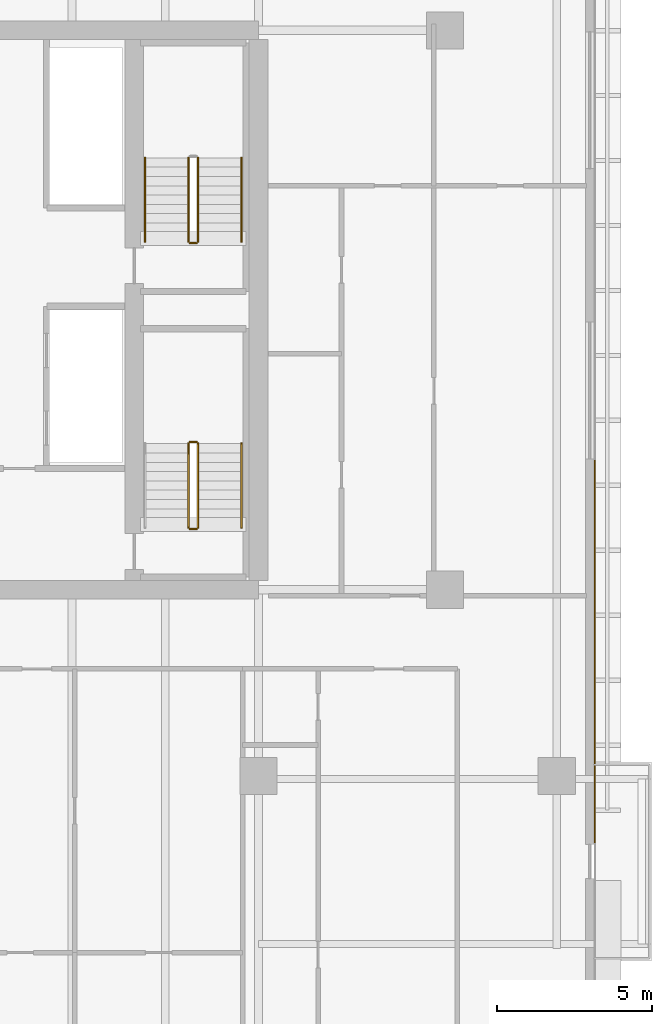
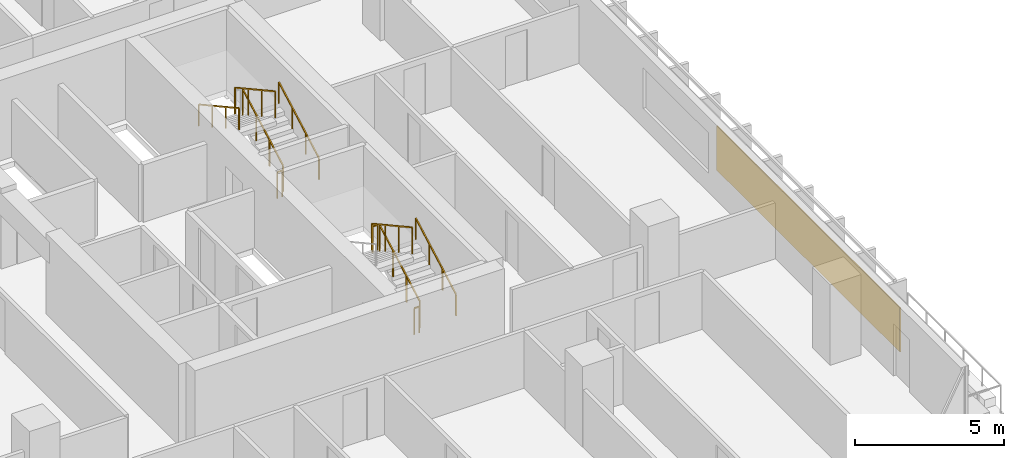
# One storey, part 31 of 33: 10 railings, 1 covering.
"""IFC4 building model written with IfcOpenShell, lengths in metres."""

from ifc_helpers import new_model, si_unit, direction, frame, origin, origin_2d, place, context, subcontext, project, spatial, rectangle, extrude, material, layer, layer_set, type_object, element, save


model = new_model("IFC4")

# Units and contexts
model_context = context("Model", 3, precision=1e-05, world=origin(), true_north=direction((0.0, 1.0)))
body_context = subcontext(model_context, "Body", "Model", "MODEL_VIEW")
ifc_project = project(units=[si_unit("LENGTHUNIT", "METRE"), si_unit("AREAUNIT", "SQUARE_METRE"), si_unit("VOLUMEUNIT", "CUBIC_METRE"), si_unit("PLANEANGLEUNIT", "RADIAN"), si_unit("MASSUNIT", "GRAM", prefix="KILO")], contexts=[model_context])

# Site, building, storey
site_placement = place(None, origin())
site = spatial("IfcSite", under=ifc_project, at=site_placement, CompositionType="ELEMENT")
building_placement = place(site_placement, origin())
building = spatial("IfcBuilding", under=site, at=building_placement, Name="Tanjung Sevakor Pilgrim Tower", CompositionType="ELEMENT")
storey_placement = place(building_placement, frame((0.0, 0.0, 35.639892578125)))
storey = spatial("IfcBuildingStorey", under=building, at=storey_placement, Name="L09", CompositionType="ELEMENT", Elevation=35.639892578125)

# Covering
ifc_material_1 = material(Name="Reconstructed Limestone Cladding", Category="masonry")
ifc_layer = layer(ifc_material_1, 0.044921875)
ifc_layer_set = layer_set([ifc_layer], Name="COV-CLAD-LIMESTONE")
covering_type = type_object("IfcCoveringType", Name="COV-CLAD-LIMESTONE", PredefinedType="CLADDING", material=ifc_layer_set)
covering_placement = place(storey_placement, frame((100.822509765625, 22.60498046875, 0.85009765625), z_axis=(0.0, 0.0, 1.0), x_axis=(0.0, 1.0, 0.0)))
element("IfcCovering", 1, at=covering_placement, inside=storey, type_object=covering_type, Name="L09 Warm Limestone Pier Panel EW-L09-MAIN-7-1", PredefinedType="CLADDING", context=body_context, shape_type="SweptSolid", body=[
    extrude(rectangle(XDim=12.31005859375, YDim=0.044921875, at=origin_2d()), origin(), (0.0, 0.0, 1.0), 1.81005859375),
])

# Railings
ifc_material_2 = material(Name="Steel S355J2", Category="steel")
railing_type_1 = type_object("IfcRailingType", Name="RL-STAIR-GUARD", PredefinedType="GUARDRAIL", material=ifc_material_2)
railing_1_placement = place(storey_placement, frame((88.050048828125, 26.60009765625, 0.1650390625)))
element("IfcRailing", 2, at=railing_1_placement, inside=storey, type_object=railing_type_1, Name="L09 TS-E1 stair guard 1", PredefinedType="GUARDRAIL", context=body_context, shape_type="SweptSolid", body=[
    extrude(rectangle(XDim=0.0479, YDim=0.0479), frame((0.0, 0.0, 1.076171875), z_axis=(0.0, 0.876197507361, 0.481952205197), x_axis=(-1.0, 0.0, 0.0)), (0.0, 0.0, 1.0), 3.08154296875),
    extrude(rectangle(XDim=0.042, YDim=0.042), origin(), (0.0, 0.0, 1.0), 1.052001953125),
    extrude(rectangle(XDim=0.042, YDim=0.042), frame((0.0, 0.89990234375, 0.4951171875)), (0.0, 0.0, 1.0), 1.052001953125),
    extrude(rectangle(XDim=0.042, YDim=0.042), frame((0.0, 1.800048828125, 0.989990234375)), (0.0, 0.0, 1.0), 1.052001953125),
    extrude(rectangle(XDim=0.042, YDim=0.042), frame((0.0, 2.699951171875, 1.485107421875)), (0.0, 0.0, 1.0), 1.052001953125),
])
railing_2_placement = place(storey_placement, frame((88.0, 29.35009765625, 1.650146484375)))
element("IfcRailing", 3, at=railing_2_placement, inside=storey, type_object=railing_type_1, Name="L09 TS-E1 stair guard 2", PredefinedType="GUARDRAIL", context=body_context, shape_type="SweptSolid", body=[
    extrude(rectangle(XDim=0.0479, YDim=0.0479), frame((0.0, 0.0, 1.076171875), z_axis=(-1.0, 0.0, 0.0), x_axis=(0.0, -1.0, 0.0)), (0.0, 0.0, 1.0), 0.199951171875),
    extrude(rectangle(XDim=0.042, YDim=0.042), origin(), (0.0, 0.0, 1.0), 1.052001953125),
    extrude(rectangle(XDim=0.042, YDim=0.042), frame((-0.199951171875, 0.0, 0.0)), (0.0, 0.0, 1.0), 1.052001953125),
])
railing_3_placement = place(storey_placement, frame((87.75, 29.300048828125, 1.815185546875)))
element("IfcRailing", 4, at=railing_3_placement, inside=storey, type_object=railing_type_1, Name="L09 TS-E1 stair guard 3", PredefinedType="GUARDRAIL", context=body_context, shape_type="SweptSolid", body=[
    extrude(rectangle(XDim=0.0479, YDim=0.0479), frame((0.0, 0.0, 1.076171875), z_axis=(0.0, -0.876230963923, 0.481891375584), x_axis=(1.0, 0.0, 0.0)), (0.0, 0.0, 1.0), 3.081298828125),
    extrude(rectangle(XDim=0.042, YDim=0.042), origin(), (0.0, 0.0, 1.0), 1.052001953125),
    extrude(rectangle(XDim=0.042, YDim=0.042), frame((0.0, -0.89990234375, 0.494873046875)), (0.0, 0.0, 1.0), 1.052001953125),
    extrude(rectangle(XDim=0.042, YDim=0.042), frame((0.0, -1.800048828125, 0.989990234375)), (0.0, 0.0, 1.0), 1.052001953125),
    extrude(rectangle(XDim=0.042, YDim=0.042), frame((0.0, -2.699951171875, 1.48486328125)), (0.0, 0.0, 1.0), 1.052001953125),
])
railing_4_placement = place(storey_placement, frame((88.0, 26.550048828125, 0.0)))
element("IfcRailing", 5, at=railing_4_placement, inside=storey, type_object=railing_type_1, Name="L09 TS-E1 stair guard 4", PredefinedType="GUARDRAIL", context=body_context, shape_type="SweptSolid", body=[
    extrude(rectangle(XDim=0.0479, YDim=0.0479), frame((0.0, 0.0, 1.076171875), z_axis=(-1.0, 0.0, 0.0), x_axis=(0.0, -1.0, 0.0)), (0.0, 0.0, 1.0), 0.199951171875),
    extrude(rectangle(XDim=0.042, YDim=0.042), origin(), (0.0, 0.0, 1.0), 1.052001953125),
    extrude(rectangle(XDim=0.042, YDim=0.042), frame((-0.199951171875, 0.0, 0.0)), (0.0, 0.0, 1.0), 1.052001953125),
])
railing_5_placement = place(storey_placement, frame((88.050048828125, 35.800048828125, 0.1650390625)))
element("IfcRailing", 6, at=railing_5_placement, inside=storey, type_object=railing_type_1, Name="L09 TS-E2 stair guard 1", PredefinedType="GUARDRAIL", context=body_context, shape_type="SweptSolid", body=[
    extrude(rectangle(XDim=0.0479, YDim=0.0479), frame((0.0, 0.0, 1.076171875), z_axis=(0.0, 0.876197507361, 0.481952205197), x_axis=(-1.0, 0.0, 0.0)), (0.0, 0.0, 1.0), 3.08154296875),
    extrude(rectangle(XDim=0.042, YDim=0.042), origin(), (0.0, 0.0, 1.0), 1.052001953125),
    extrude(rectangle(XDim=0.042, YDim=0.042), frame((0.0, 0.89990234375, 0.4951171875)), (0.0, 0.0, 1.0), 1.052001953125),
    extrude(rectangle(XDim=0.042, YDim=0.042), frame((0.0, 1.800048828125, 0.989990234375)), (0.0, 0.0, 1.0), 1.052001953125),
    extrude(rectangle(XDim=0.042, YDim=0.042), frame((0.0, 2.699951171875, 1.485107421875)), (0.0, 0.0, 1.0), 1.052001953125),
])
railing_6_placement = place(storey_placement, frame((87.75, 38.5, 1.815185546875)))
element("IfcRailing", 7, at=railing_6_placement, inside=storey, type_object=railing_type_1, Name="L09 TS-E2 stair guard 3", PredefinedType="GUARDRAIL", context=body_context, shape_type="SweptSolid", body=[
    extrude(rectangle(XDim=0.0479, YDim=0.0479), frame((0.0, 0.0, 1.076171875), z_axis=(0.0, -0.876230963923, 0.481891375584), x_axis=(1.0, 0.0, 0.0)), (0.0, 0.0, 1.0), 3.081298828125),
    extrude(rectangle(XDim=0.042, YDim=0.042), origin(), (0.0, 0.0, 1.0), 1.052001953125),
    extrude(rectangle(XDim=0.042, YDim=0.042), frame((0.0, -0.89990234375, 0.494873046875)), (0.0, 0.0, 1.0), 1.052001953125),
    extrude(rectangle(XDim=0.042, YDim=0.042), frame((0.0, -1.800048828125, 0.989990234375)), (0.0, 0.0, 1.0), 1.052001953125),
    extrude(rectangle(XDim=0.042, YDim=0.042), frame((0.0, -2.699951171875, 1.48486328125)), (0.0, 0.0, 1.0), 1.052001953125),
])
railing_7_placement = place(storey_placement, frame((88.0, 35.75, 0.0)))
element("IfcRailing", 8, at=railing_7_placement, inside=storey, type_object=railing_type_1, Name="L09 TS-E2 stair guard 4", PredefinedType="GUARDRAIL", context=body_context, shape_type="SweptSolid", body=[
    extrude(rectangle(XDim=0.0479, YDim=0.0479), frame((0.0, 0.0, 1.076171875), z_axis=(-1.0, 0.0, 0.0), x_axis=(0.0, -1.0, 0.0)), (0.0, 0.0, 1.0), 0.199951171875),
    extrude(rectangle(XDim=0.042, YDim=0.042), origin(), (0.0, 0.0, 1.0), 1.052001953125),
    extrude(rectangle(XDim=0.042, YDim=0.042), frame((-0.199951171875, 0.0, 0.0)), (0.0, 0.0, 1.0), 1.052001953125),
])
ifc_material_3 = material(Name="Steel S355J2", Category="steel")
railing_type_2 = type_object("IfcRailingType", Name="RL-STAIR-HAND", PredefinedType="HANDRAIL", material=ifc_material_3)
for number, where, name in (
    (9, (89.449951171875, 26.60009765625, 0.1650390625), "L09 TS-E1 stair handrail 1"),
    (10, (89.449951171875, 35.800048828125, 0.1650390625), "L09 TS-E2 stair handrail 1"),
):
    element("IfcRailing", number, at=place(storey_placement, frame(where)), inside=storey, type_object=railing_type_2, Name=name, PredefinedType="HANDRAIL", context=body_context, shape_type="SweptSolid", body=[
        extrude(rectangle(XDim=0.0479, YDim=0.0479), frame((0.0, 0.0, 0.8759765625), z_axis=(0.0, 0.876197507361, 0.481952205197), x_axis=(-1.0, 0.0, 0.0)), (0.0, 0.0, 1.0), 3.08154296875),
        extrude(rectangle(XDim=0.042, YDim=0.042), origin(), (0.0, 0.0, 1.0), 0.851806640625),
        extrude(rectangle(XDim=0.042, YDim=0.042), frame((0.0, 0.89990234375, 0.4951171875)), (0.0, 0.0, 1.0), 0.851806640625),
        extrude(rectangle(XDim=0.042, YDim=0.042), frame((0.0, 1.800048828125, 0.989990234375)), (0.0, 0.0, 1.0), 0.851806640625),
        extrude(rectangle(XDim=0.042, YDim=0.042), frame((0.0, 2.699951171875, 1.485107421875)), (0.0, 0.0, 1.0), 0.851806640625),
    ])
railing_8_placement = place(storey_placement, frame((86.35009765625, 38.5, 1.815185546875)))
element("IfcRailing", 11, at=railing_8_placement, inside=storey, type_object=railing_type_2, Name="L09 TS-E2 stair handrail 2", PredefinedType="HANDRAIL", context=body_context, shape_type="SweptSolid", body=[
    extrude(rectangle(XDim=0.0479, YDim=0.0479), frame((0.0, 0.0, 0.8759765625), z_axis=(0.0, -0.876230963923, 0.481891375584), x_axis=(1.0, 0.0, 0.0)), (0.0, 0.0, 1.0), 3.081298828125),
    extrude(rectangle(XDim=0.042, YDim=0.042), origin(), (0.0, 0.0, 1.0), 0.851806640625),
    extrude(rectangle(XDim=0.042, YDim=0.042), frame((0.0, -0.89990234375, 0.494873046875)), (0.0, 0.0, 1.0), 0.851806640625),
    extrude(rectangle(XDim=0.042, YDim=0.042), frame((0.0, -1.800048828125, 0.989990234375)), (0.0, 0.0, 1.0), 0.851806640625),
    extrude(rectangle(XDim=0.042, YDim=0.042), frame((0.0, -2.699951171875, 1.48486328125)), (0.0, 0.0, 1.0), 0.851806640625),
])

save(model, "model.ifc")
